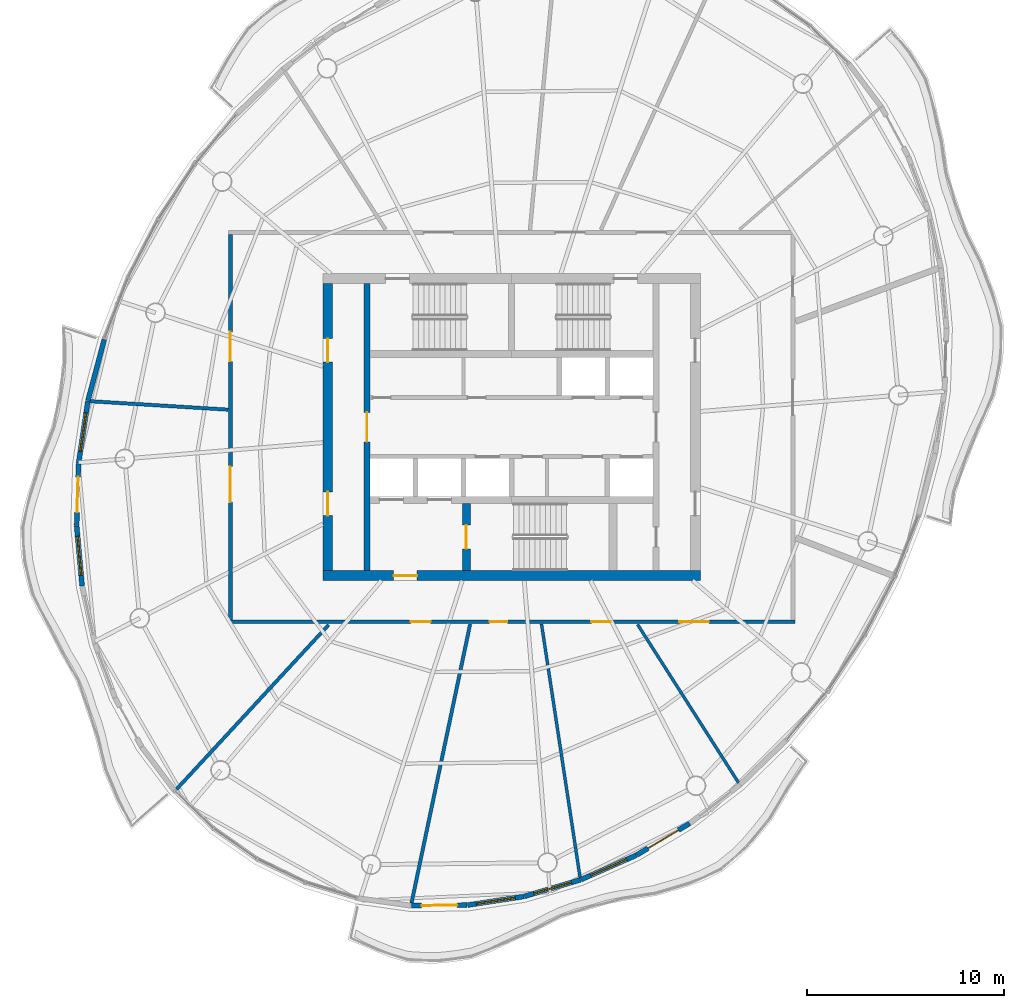
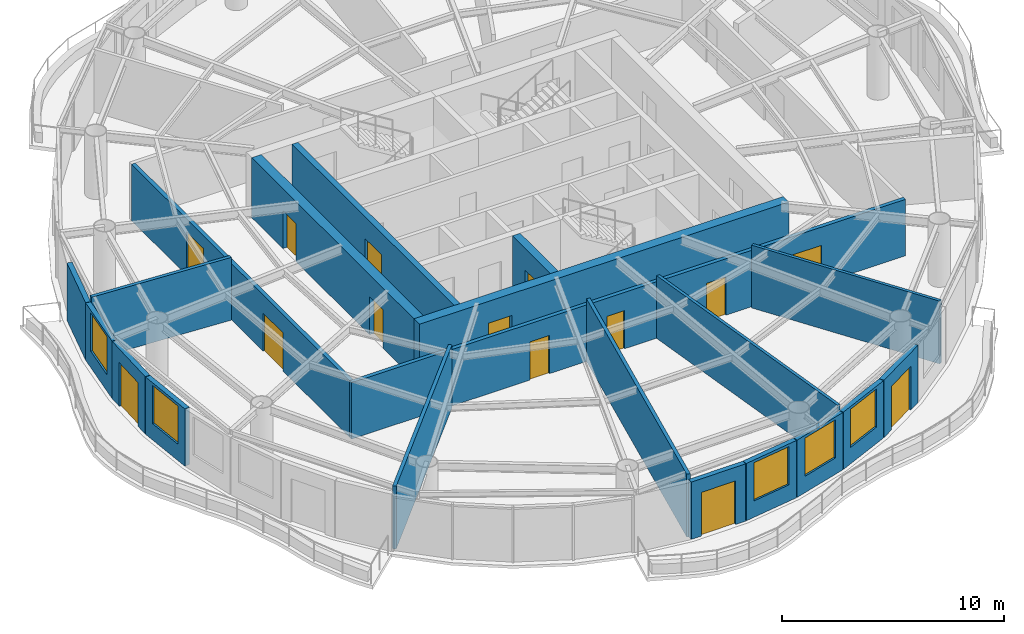
# One storey, part 7 of 13: 20 walls, 14 doors, 5 windows, 19 openings.
"""IFC4 building model written with IfcOpenShell, lengths in metres."""

from ifc_helpers import new_model, si_unit, direction, frame, frame_2d, origin, place, context, subcontext, project, spatial, rectangle, extrude, material, layer, layer_set, type_object, element, fill, save


model = new_model("IFC4")

# Units and contexts
model_context = context("Model", 3, precision=1e-05, world=origin(), true_north=direction((0.0, 1.0)))
body_context = subcontext(model_context, "Body", "Model", "MODEL_VIEW")
ifc_project = project(units=[si_unit("LENGTHUNIT", "METRE"), si_unit("AREAUNIT", "SQUARE_METRE"), si_unit("VOLUMEUNIT", "CUBIC_METRE"), si_unit("PLANEANGLEUNIT", "RADIAN"), si_unit("MASSUNIT", "GRAM", prefix="KILO")], contexts=[model_context])

# Site, building, storey
site_placement = place(None, origin())
site = spatial("IfcSite", under=ifc_project, at=site_placement, CompositionType="ELEMENT")
building_placement = place(site_placement, origin())
building = spatial("IfcBuilding", under=site, at=building_placement, Name="Vermilion Reach Broadcast Tower", CompositionType="ELEMENT")
storey_placement = place(building_placement, frame((0.0, 0.0, 272.10009765625)))
storey = spatial("IfcBuildingStorey", under=building, at=storey_placement, Name="L67", CompositionType="ELEMENT", Elevation=272.10009765625)

# Wall, opening, door
ifc_material_1 = material(Name="Concrete C50", Category="concrete")
ifc_layer_1 = layer(ifc_material_1, 0.300048828125)
ifc_layer_set_1 = layer_set([ifc_layer_1], Name="Core inner wall 300 mm Concrete C50")
wall_type_1 = type_object("IfcWallType", Name="Core inner wall 300 mm Concrete C50", PredefinedType="SHEAR", material=ifc_layer_set_1)
wall_1_placement = place(storey_placement, frame((-13.35009765625, 7.300048828125, 0.0), z_axis=(0.0, 0.0, 1.0), x_axis=(0.0, -1.0, 0.0)))
wall_1 = element("IfcWall", 1, at=wall_1_placement, inside=storey, type_object=wall_type_1, Name="L67 core wall ewW", PredefinedType="SHEAR", context=body_context, shape_type="SweptSolid", body=[
    extrude(rectangle(XDim=14.60009765625, YDim=0.300048828125, at=frame_2d((7.300048828125, 0.0))), origin(), (0.0, 0.0, 1.0), 3.2998046875),
])
opening_1_placement = place(wall_1_placement, frame((6.550048828125, 0.0, 0.0)))
opening_1 = element("IfcOpeningElement", 2, at=opening_1_placement, cuts=wall_1, Name="Opening D04", PredefinedType="OPENING", context=body_context, shape_type="SweptSolid", body=[
    extrude(rectangle(XDim=1.5, YDim=2.10009765625, at=frame_2d((0.75, 1.050048828125))), frame((0.0, 0.159912109375, 0.0), z_axis=(0.0, -1.0, 0.0), x_axis=(1.0, 0.0, 0.0)), (0.0, 0.0, 1.0), 0.320068359375),
])
ifc_material_2 = material(Name="Painted steel fire door", Category="steel")
door_type_1 = type_object("IfcDoorType", Name="Lift lobby door 1500 x 2100", OperationType="DOUBLE_DOOR_SINGLE_SWING", PredefinedType="NOTDEFINED", material=ifc_material_2)
door_1_placement = place(opening_1_placement, origin())
door_1 = element("IfcDoor", 3, at=door_1_placement, inside=storey, type_object=door_type_1, Name="L67 band door BW", OperationType="DOUBLE_DOOR_SINGLE_SWING", OverallHeight=2.10009765625, OverallWidth=1.5, PredefinedType="NOTDEFINED", context=body_context, shape_type="SweptSolid", body=[
    extrude(rectangle(XDim=1.5, YDim=2.10009765625, at=frame_2d((0.75, 1.050048828125))), frame((0.0, 0.02490234375, 0.0), z_axis=(0.0, -1.0, 0.0), x_axis=(1.0, 0.0, 0.0)), (0.0, 0.0, 1.0), 0.050048828125),
])
fill(opening_1, door_1)

ifc_material_3 = material(Name="Concrete C50", Category="concrete")
ifc_layer_2 = layer(ifc_material_3, 0.39990234375)
ifc_layer_set_2 = layer_set([ifc_layer_2], Name="Core inner wall 400 mm Concrete C50")
wall_type_2 = type_object("IfcWallType", Name="Core inner wall 400 mm Concrete C50", PredefinedType="SHEAR", material=ifc_layer_set_2)
wall_2_placement = place(storey_placement, frame((-8.300048828125, -3.8798828125, 0.0), z_axis=(0.0, 0.0, 1.0), x_axis=(0.0, -1.0, 0.0)))
wall_2 = element("IfcWall", 4, at=wall_2_placement, inside=storey, type_object=wall_type_2, Name="L67 core wall wa", PredefinedType="SHEAR", context=body_context, shape_type="SweptSolid", body=[
    extrude(rectangle(XDim=3.420166015625, YDim=0.39990234375, at=frame_2d((1.7099609375, 0.0))), origin(), (0.0, 0.0, 1.0), 3.2998046875),
])
opening_2_placement = place(wall_2_placement, frame((1.110107421875, 0.0, 0.0)))
opening_2 = element("IfcOpeningElement", 5, at=opening_2_placement, cuts=wall_2, Name="Opening D01", PredefinedType="OPENING", context=body_context, shape_type="SweptSolid", body=[
    extrude(rectangle(XDim=1.199951171875, YDim=2.10009765625, at=frame_2d((0.60009765625, 1.050048828125))), frame((0.0, 0.2099609375, 0.0), z_axis=(0.0, -1.0, 0.0), x_axis=(1.0, 0.0, 0.0)), (0.0, 0.0, 1.0), 0.419921875),
])
ifc_material_4 = material(Name="Painted steel fire door", Category="steel")
door_type_2 = type_object("IfcDoorType", Name="Stair door 1200 x 2100", OperationType="DOUBLE_DOOR_SINGLE_SWING", PredefinedType="NOTDEFINED", material=ifc_material_4)
door_2_placement = place(opening_2_placement, origin())
door_2 = element("IfcDoor", 6, at=door_2_placement, inside=storey, type_object=door_type_2, Name="L67 stair door ST3", OperationType="DOUBLE_DOOR_SINGLE_SWING", OverallHeight=2.10009765625, OverallWidth=1.199951171875, PredefinedType="NOTDEFINED", context=body_context, shape_type="SweptSolid", body=[
    extrude(rectangle(XDim=1.199951171875, YDim=2.10009765625, at=frame_2d((0.60009765625, 1.050048828125))), frame((0.0, 0.02490234375, 0.0), z_axis=(0.0, -1.0, 0.0), x_axis=(1.0, 0.0, 0.0)), (0.0, 0.0, 1.0), 0.050048828125),
])
fill(opening_2, door_2)

ifc_material_5 = material(Name="Concrete C50", Category="concrete")
ifc_layer_3 = layer(ifc_material_5, 0.5)
ifc_layer_set_3 = layer_set([ifc_layer_3], Name="Core outer wall 500 mm Concrete C50")
wall_type_3 = type_object("IfcWallType", Name="Core outer wall 500 mm Concrete C50", PredefinedType="SHEAR", material=ifc_layer_set_3)
wall_3_placement = place(storey_placement, frame((-15.60009765625, -7.550048828125, 0.0), z_axis=(0.0, 0.0, 1.0), x_axis=(1.0, 0.0, 0.0)))
wall_3 = element("IfcWall", 7, at=wall_3_placement, inside=storey, type_object=wall_type_3, Name="L67 core wall os", PredefinedType="SHEAR", context=body_context, shape_type="SweptSolid", body=[
    extrude(rectangle(XDim=19.2001953125, YDim=0.5, at=frame_2d((9.60009765625, 0.0))), origin(), (0.0, 0.0, 1.0), 3.2998046875),
])
opening_3_placement = place(wall_3_placement, frame((3.60009765625, 0.0, 0.0)))
opening_3 = element("IfcOpeningElement", 8, at=opening_3_placement, cuts=wall_3, Name="Opening D02", PredefinedType="OPENING", context=body_context, shape_type="SweptSolid", body=[
    extrude(rectangle(XDim=1.199951171875, YDim=2.10009765625, at=frame_2d((0.60009765625, 1.050048828125))), frame((0.0, 0.260009765625, 0.0), z_axis=(0.0, -1.0, 0.0), x_axis=(1.0, 0.0, 0.0)), (0.0, 0.0, 1.0), 0.52001953125),
])
ifc_material_6 = material(Name="Painted steel fire door", Category="steel")
door_type_3 = type_object("IfcDoorType", Name="Firefighting lobby door 1200 x 2100", OperationType="DOUBLE_DOOR_SINGLE_SWING", PredefinedType="NOTDEFINED", material=ifc_material_6)
door_3_placement = place(opening_3_placement, origin())
door_3 = element("IfcDoor", 9, at=door_3_placement, inside=storey, type_object=door_type_3, Name="L67 ffdoor door FFL", OperationType="DOUBLE_DOOR_SINGLE_SWING", OverallHeight=2.10009765625, OverallWidth=1.199951171875, PredefinedType="NOTDEFINED", context=body_context, shape_type="SweptSolid", body=[
    extrude(rectangle(XDim=1.199951171875, YDim=2.10009765625, at=frame_2d((0.60009765625, 1.050048828125))), frame((0.0, 0.02490234375, 0.0), z_axis=(0.0, -1.0, 0.0), x_axis=(1.0, 0.0, 0.0)), (0.0, 0.0, 1.0), 0.050048828125),
])
fill(opening_3, door_3)

# Wall, openings, doors
wall_4_placement = place(storey_placement, frame((-15.35009765625, 7.300048828125, 0.0), z_axis=(0.0, 0.0, 1.0), x_axis=(0.0, -1.0, 0.0)))
wall_4 = element("IfcWall", 10, at=wall_4_placement, inside=storey, type_object=wall_type_3, Name="L67 core wall ow", PredefinedType="SHEAR", context=body_context, shape_type="SweptSolid", body=[
    extrude(rectangle(XDim=14.60009765625, YDim=0.5, at=frame_2d((7.300048828125, 0.0))), origin(), (0.0, 0.0, 1.0), 3.2998046875),
])
opening_4_placement = place(wall_4_placement, frame((10.60009765625, 0.0, 0.0)))
opening_4 = element("IfcOpeningElement", 11, at=opening_4_placement, cuts=wall_4, Name="Opening D03", PredefinedType="OPENING", context=body_context, shape_type="SweptSolid", body=[
    extrude(rectangle(XDim=1.199951171875, YDim=2.10009765625, at=frame_2d((0.60009765625, 1.050048828125))), frame((0.0, 0.260009765625, 0.0), z_axis=(0.0, -1.0, 0.0), x_axis=(1.0, 0.0, 0.0)), (0.0, 0.0, 1.0), 0.52001953125),
])
opening_5_placement = place(wall_4_placement, frame((2.800048828125, 0.0, 0.0)))
opening_5 = element("IfcOpeningElement", 12, at=opening_5_placement, cuts=wall_4, Name="Opening D03", PredefinedType="OPENING", context=body_context, shape_type="SweptSolid", body=[
    extrude(rectangle(XDim=1.199951171875, YDim=2.10009765625, at=frame_2d((0.60009765625, 1.050048828125))), frame((0.0, 0.260009765625, 0.0), z_axis=(0.0, -1.0, 0.0), x_axis=(1.0, 0.0, 0.0)), (0.0, 0.0, 1.0), 0.52001953125),
])
ifc_material_7 = material(Name="Painted steel fire door", Category="steel")
door_type_4 = type_object("IfcDoorType", Name="Core lobby door 1200 x 2100", OperationType="DOUBLE_DOOR_SINGLE_SWING", PredefinedType="NOTDEFINED", material=ifc_material_7)
door_4_placement = place(opening_4_placement, origin())
door_4 = element("IfcDoor", 13, at=door_4_placement, inside=storey, type_object=door_type_4, Name="L67 slot door W0", OperationType="DOUBLE_DOOR_SINGLE_SWING", OverallHeight=2.10009765625, OverallWidth=1.199951171875, PredefinedType="NOTDEFINED", context=body_context, shape_type="SweptSolid", body=[
    extrude(rectangle(XDim=1.199951171875, YDim=2.10009765625, at=frame_2d((0.60009765625, 1.050048828125))), frame((0.0, 0.02490234375, 0.0), z_axis=(0.0, -1.0, 0.0), x_axis=(1.0, 0.0, 0.0)), (0.0, 0.0, 1.0), 0.050048828125),
])
fill(opening_4, door_4)
door_5_placement = place(opening_5_placement, origin())
door_5 = element("IfcDoor", 14, at=door_5_placement, inside=storey, type_object=door_type_4, Name="L67 slot door W1", OperationType="DOUBLE_DOOR_SINGLE_SWING", OverallHeight=2.10009765625, OverallWidth=1.199951171875, PredefinedType="NOTDEFINED", context=body_context, shape_type="SweptSolid", body=[
    extrude(rectangle(XDim=1.199951171875, YDim=2.10009765625, at=frame_2d((0.60009765625, 1.050048828125))), frame((0.0, 0.02490234375, 0.0), z_axis=(0.0, -1.0, 0.0), x_axis=(1.0, 0.0, 0.0)), (0.0, 0.0, 1.0), 0.050048828125),
])
fill(opening_5, door_5)

# Walls
ifc_material_8 = material(Name="Lightweight concrete block, plastered", Category="concrete")
ifc_layer_4 = layer(ifc_material_8, 0.14990234375)
ifc_layer_set_4 = layer_set([ifc_layer_4], Name="Partition 150 lightweight block")
wall_type_4 = type_object("IfcWallType", Name="Partition 150 lightweight block", PredefinedType="PARTITIONING", material=ifc_layer_set_4)
wall_5_placement = place(storey_placement, frame((-2.518310546875, -22.897705078125, 0.0), z_axis=(0.0, 0.0, 1.0), x_axis=(-0.150328576639, 0.988636090301, 0.0)))
element("IfcWall", 15, at=wall_5_placement, inside=storey, type_object=wall_type_4, Name="Partition 67.07", PredefinedType="PARTITIONING", context=body_context, shape_type="SweptSolid", body=[
    extrude(rectangle(XDim=13.03466796875, YDim=0.14990234375, at=frame_2d((6.517333984375, 0.0))), origin(), (0.0, 0.0, 1.0), 3.449951171875),
])
wall_6_placement = place(storey_placement, frame((5.543212890625, -18.087646484375, 0.0), z_axis=(0.0, 0.0, 1.0), x_axis=(-0.537970500941, 0.842963664767, 0.0)))
element("IfcWall", 16, at=wall_6_placement, inside=storey, type_object=wall_type_4, Name="Partition 67.08", PredefinedType="PARTITIONING", context=body_context, shape_type="SweptSolid", body=[
    extrude(rectangle(XDim=9.546630859375, YDim=0.14990234375, at=frame_2d((4.7734375, 0.0))), origin(), (0.0, 0.0, 1.0), 3.449951171875),
])
ifc_material_9 = material(Name="Fire-rated block, plastered")
ifc_layer_5 = layer(ifc_material_9, 0.175048828125)
ifc_layer_set_5 = layer_set([ifc_layer_5], Name="Partition 175 fire-rated block")
wall_type_5 = type_object("IfcWallType", Name="Partition 175 fire-rated block", PredefinedType="PARTITIONING", material=ifc_layer_set_5)
wall_7_placement = place(storey_placement, frame((-27.4169921875, 1.311767578125, 0.0), z_axis=(0.0, 0.0, 1.0), x_axis=(0.998129692202, -0.061131968265, 0.0)))
element("IfcWall", 17, at=wall_7_placement, inside=storey, type_object=wall_type_5, Name="Partition 67.04", PredefinedType="PARTITIONING", context=body_context, shape_type="SweptSolid", body=[
    extrude(rectangle(XDim=7.02490234375, YDim=0.175048828125, at=frame_2d((3.512451171875, 0.0))), origin(), (0.0, 0.0, 1.0), 3.449951171875),
])
wall_8_placement = place(storey_placement, frame((-23.03125, -18.413330078125, 0.0), z_axis=(0.0, 0.0, 1.0), x_axis=(0.679011342159, 0.734127779899, 0.0)))
element("IfcWall", 18, at=wall_8_placement, inside=storey, type_object=wall_type_5, Name="Partition 67.05", PredefinedType="PARTITIONING", context=body_context, shape_type="SweptSolid", body=[
    extrude(rectangle(XDim=11.37939453125, YDim=0.175048828125, at=frame_2d((5.689697265625, 0.0))), origin(), (0.0, 0.0, 1.0), 3.449951171875),
])
wall_9_placement = place(storey_placement, frame((-11.089111328125, -24.212646484375, 0.0), z_axis=(0.0, 0.0, 1.0), x_axis=(0.205700846856, 0.978614919978, 0.0)))
element("IfcWall", 19, at=wall_9_placement, inside=storey, type_object=wall_type_5, Name="Partition 67.06", PredefinedType="PARTITIONING", context=body_context, shape_type="SweptSolid", body=[
    extrude(rectangle(XDim=14.5048828125, YDim=0.175048828125, at=frame_2d((7.25244140625, 0.0))), origin(), (0.0, 0.0, 1.0), 3.449951171875),
])
ifc_material_10 = material(Name="Terracotta rainscreen cladding", Category="masonry")
ifc_layer_6 = layer(ifc_material_10, 0.25)
ifc_layer_set_6 = layer_set([ifc_layer_6], Name="Terracotta rainscreen wall 250")
wall_type_6 = type_object("IfcWallType", Name="Terracotta rainscreen wall 250", PredefinedType="SOLIDWALL", material=ifc_layer_set_6)
wall_10_placement = place(storey_placement, frame((-26.70751953125, 4.45556640625, 0.0), z_axis=(0.0, 0.0, 1.0), x_axis=(-0.257776035016, -0.96620469662, 0.0)))
element("IfcWall", 20, at=wall_10_placement, inside=storey, type_object=wall_type_6, Name="External wall L67 14", PredefinedType="SOLIDWALL", context=body_context, shape_type="SweptSolid", body=[
    extrude(rectangle(XDim=3.21630859375, YDim=0.25, at=frame_2d((1.608154296875, 0.0))), origin(), (0.0, 0.0, 1.0), 3.14990234375),
])

# Wall, opening, window
wall_11_placement = place(storey_placement, frame((-27.541015625, 1.326171875, 0.0), z_axis=(0.0, 0.0, 1.0), x_axis=(-0.147409564434, -0.989075538224, 0.0)))
wall_11 = element("IfcWall", 21, at=wall_11_placement, inside=storey, type_object=wall_type_6, Name="External wall L67 15", PredefinedType="SOLIDWALL", context=body_context, shape_type="SweptSolid", body=[
    extrude(rectangle(XDim=3.206298828125, YDim=0.25, at=frame_2d((1.60302734375, 0.0))), origin(), (0.0, 0.0, 1.0), 3.14990234375),
])
opening_6_placement = place(wall_11_placement, frame((0.603271484375, 0.0, 0.89990234375)))
opening_6 = element("IfcOpeningElement", 22, at=opening_6_placement, cuts=wall_11, Name="Opening W03", PredefinedType="OPENING", context=body_context, shape_type="SweptSolid", body=[
    extrude(rectangle(XDim=2.0, YDim=2.10009765625, at=frame_2d((1.0, 1.050048828125))), frame((0.0, 0.135009765625, 0.0), z_axis=(0.0, -1.0, 0.0), x_axis=(1.0, 0.0, 0.0)), (0.0, 0.0, 1.0), 0.27001953125),
])
ifc_material_11 = material(Name="Low-e laminated clear glass in aluminium frame", Category="aluminium")
window_type = type_object("IfcWindowType", Name="Punched window 2000 x 2100 sill 900", PartitioningType="SINGLE_PANEL", PredefinedType="WINDOW", material=ifc_material_11)
window_1_placement = place(opening_6_placement, origin())
window_1 = element("IfcWindow", 23, at=window_1_placement, inside=storey, type_object=window_type, Name="Window L67 15", OverallHeight=2.10009765625, OverallWidth=2.0, PartitioningType="SINGLE_PANEL", PredefinedType="WINDOW", context=body_context, shape_type="SweptSolid", body=[
    extrude(rectangle(XDim=2.0, YDim=2.10009765625, at=frame_2d((1.0, 1.050048828125))), frame((0.0, 0.030029296875, 0.0), z_axis=(0.0, -1.0, 0.0), x_axis=(1.0, 0.0, 0.0)), (0.0, 0.0, 1.0), 0.06005859375),
])
fill(opening_6, window_1)

# Wall, opening, door
wall_12_placement = place(storey_placement, frame((-28.015625, -1.86767578125, 0.0), z_axis=(0.0, 0.0, 1.0), x_axis=(-0.031030800892, -0.999518428743, 0.0)))
wall_12 = element("IfcWall", 24, at=wall_12_placement, inside=storey, type_object=wall_type_6, Name="External wall L67 16", PredefinedType="SOLIDWALL", context=body_context, shape_type="SweptSolid", body=[
    extrude(rectangle(XDim=3.13916015625, YDim=0.25, at=frame_2d((1.569580078125, 0.0))), origin(), (0.0, 0.0, 1.0), 3.14990234375),
])
opening_7_placement = place(wall_12_placement, frame((0.669921875, 0.0, 0.0)))
opening_7 = element("IfcOpeningElement", 25, at=opening_7_placement, cuts=wall_12, Name="Opening D70", PredefinedType="OPENING", context=body_context, shape_type="SweptSolid", body=[
    extrude(rectangle(XDim=1.800048828125, YDim=2.39990234375, at=frame_2d((0.89990234375, 1.199951171875))), frame((0.0, 0.135009765625, 0.0), z_axis=(0.0, -1.0, 0.0), x_axis=(1.0, 0.0, 0.0)), (0.0, 0.0, 1.0), 0.27001953125),
])
ifc_material_12 = material(Name="Low-e laminated clear glass in aluminium frame", Category="aluminium")
door_type_5 = type_object("IfcDoorType", Name="Balcony sliding door 1800 x 2400", OperationType="DOUBLE_DOOR_SLIDING", PredefinedType="DOOR", material=ifc_material_12)
door_6_placement = place(opening_7_placement, origin())
door_6 = element("IfcDoor", 26, at=door_6_placement, inside=storey, type_object=door_type_5, Name="Balcony door L67 run 04", OperationType="DOUBLE_DOOR_SLIDING", OverallHeight=2.39990234375, OverallWidth=1.800048828125, PredefinedType="DOOR", context=body_context, shape_type="SweptSolid", body=[
    extrude(rectangle(XDim=1.800048828125, YDim=2.39990234375, at=frame_2d((0.89990234375, 1.199951171875))), frame((0.0, 0.02490234375, 0.0), z_axis=(0.0, -1.0, 0.0), x_axis=(1.0, 0.0, 0.0)), (0.0, 0.0, 1.0), 0.050048828125),
])
fill(opening_7, door_6)

# Wall, opening, window
wall_13_placement = place(storey_placement, frame((-28.1123046875, -5.02880859375, 0.0), z_axis=(0.0, 0.0, 1.0), x_axis=(0.090974263514, -0.995853243896, 0.0)))
wall_13 = element("IfcWall", 27, at=wall_13_placement, inside=storey, type_object=wall_type_6, Name="External wall L67 17", PredefinedType="SOLIDWALL", context=body_context, shape_type="SweptSolid", body=[
    extrude(rectangle(XDim=3.06201171875, YDim=0.25, at=frame_2d((1.531005859375, 0.0))), origin(), (0.0, 0.0, 1.0), 3.14990234375),
])
opening_8_placement = place(wall_13_placement, frame((0.531005859375, 0.0, 0.89990234375)))
opening_8 = element("IfcOpeningElement", 28, at=opening_8_placement, cuts=wall_13, Name="Opening W03", PredefinedType="OPENING", context=body_context, shape_type="SweptSolid", body=[
    extrude(rectangle(XDim=2.0, YDim=2.10009765625, at=frame_2d((1.0, 1.050048828125))), frame((0.0, 0.135009765625, 0.0), z_axis=(0.0, -1.0, 0.0), x_axis=(1.0, 0.0, 0.0)), (0.0, 0.0, 1.0), 0.27001953125),
])
window_2_placement = place(opening_8_placement, origin())
window_2 = element("IfcWindow", 29, at=window_2_placement, inside=storey, type_object=window_type, Name="Window L67 17", OverallHeight=2.10009765625, OverallWidth=2.0, PartitioningType="SINGLE_PANEL", PredefinedType="WINDOW", context=body_context, shape_type="SweptSolid", body=[
    extrude(rectangle(XDim=2.0, YDim=2.10009765625, at=frame_2d((1.0, 1.050048828125))), frame((0.0, 0.030029296875, 0.0), z_axis=(0.0, -1.0, 0.0), x_axis=(1.0, 0.0, 0.0)), (0.0, 0.0, 1.0), 0.06005859375),
])
fill(opening_8, window_2)

# Wall, opening, door
wall_14_placement = place(storey_placement, frame((-11.083740234375, -24.33740234375, 0.0), z_axis=(0.0, 0.0, 1.0), x_axis=(0.999952276814, 0.009769549307, 0.0)))
wall_14 = element("IfcWall", 30, at=wall_14_placement, inside=storey, type_object=wall_type_6, Name="External wall L67 27", PredefinedType="SOLIDWALL", context=body_context, shape_type="SweptSolid", body=[
    extrude(rectangle(XDim=2.823974609375, YDim=0.25, at=frame_2d((1.412109375, 0.0))), origin(), (0.0, 0.0, 1.0), 3.14990234375),
])
opening_9_placement = place(wall_14_placement, frame((0.511962890625, 0.0, 0.0)))
opening_9 = element("IfcOpeningElement", 31, at=opening_9_placement, cuts=wall_14, Name="Opening D70", PredefinedType="OPENING", context=body_context, shape_type="SweptSolid", body=[
    extrude(rectangle(XDim=1.800048828125, YDim=2.39990234375, at=frame_2d((0.89990234375, 1.199951171875))), frame((0.0, 0.135009765625, 0.0), z_axis=(0.0, -1.0, 0.0), x_axis=(1.0, 0.0, 0.0)), (0.0, 0.0, 1.0), 0.27001953125),
])
door_7_placement = place(opening_9_placement, origin())
door_7 = element("IfcDoor", 32, at=door_7_placement, inside=storey, type_object=door_type_5, Name="Balcony door L67 run 07", OperationType="DOUBLE_DOOR_SLIDING", OverallHeight=2.39990234375, OverallWidth=1.800048828125, PredefinedType="DOOR", context=body_context, shape_type="SweptSolid", body=[
    extrude(rectangle(XDim=1.800048828125, YDim=2.39990234375, at=frame_2d((0.89990234375, 1.199951171875))), frame((0.0, 0.02490234375, 0.0), z_axis=(0.0, -1.0, 0.0), x_axis=(1.0, 0.0, 0.0)), (0.0, 0.0, 1.0), 0.050048828125),
])
fill(opening_9, door_7)

# Wall, opening, window
wall_15_placement = place(storey_placement, frame((-8.234375, -24.3076171875, 0.0), z_axis=(0.0, 0.0, 1.0), x_axis=(0.988456248217, 0.151506585204, 0.0)))
wall_15 = element("IfcWall", 33, at=wall_15_placement, inside=storey, type_object=wall_type_6, Name="External wall L67 28", PredefinedType="SOLIDWALL", context=body_context, shape_type="SweptSolid", body=[
    extrude(rectangle(XDim=2.89892578125, YDim=0.25, at=frame_2d((1.449462890625, 0.0))), origin(), (0.0, 0.0, 1.0), 3.14990234375),
])
opening_10_placement = place(wall_15_placement, frame((0.449462890625, 0.0, 0.89990234375)))
opening_10 = element("IfcOpeningElement", 34, at=opening_10_placement, cuts=wall_15, Name="Opening W03", PredefinedType="OPENING", context=body_context, shape_type="SweptSolid", body=[
    extrude(rectangle(XDim=2.0, YDim=2.10009765625, at=frame_2d((1.0, 1.050048828125))), frame((0.0, 0.135009765625, 0.0), z_axis=(0.0, -1.0, 0.0), x_axis=(1.0, 0.0, 0.0)), (0.0, 0.0, 1.0), 0.27001953125),
])
window_3_placement = place(opening_10_placement, origin())
window_3 = element("IfcWindow", 35, at=window_3_placement, inside=storey, type_object=window_type, Name="Window L67 28", OverallHeight=2.10009765625, OverallWidth=2.0, PartitioningType="SINGLE_PANEL", PredefinedType="WINDOW", context=body_context, shape_type="SweptSolid", body=[
    extrude(rectangle(XDim=2.0, YDim=2.10009765625, at=frame_2d((1.0, 1.050048828125))), frame((0.0, 0.030029296875, 0.0), z_axis=(0.0, -1.0, 0.0), x_axis=(1.0, 0.0, 0.0)), (0.0, 0.0, 1.0), 0.06005859375),
])
fill(opening_10, window_3)

wall_16_placement = place(storey_placement, frame((-5.3447265625, -23.863037109375, 0.0), z_axis=(0.0, 0.0, 1.0), x_axis=(0.958992915497, 0.283430040798, 0.0)))
wall_16 = element("IfcWall", 36, at=wall_16_placement, inside=storey, type_object=wall_type_6, Name="External wall L67 29", PredefinedType="SOLIDWALL", context=body_context, shape_type="SweptSolid", body=[
    extrude(rectangle(XDim=2.98046875, YDim=0.25, at=frame_2d((1.490234375, 0.0))), origin(), (0.0, 0.0, 1.0), 3.14990234375),
])
opening_11_placement = place(wall_16_placement, frame((0.490234375, 0.0, 0.89990234375)))
opening_11 = element("IfcOpeningElement", 37, at=opening_11_placement, cuts=wall_16, Name="Opening W03", PredefinedType="OPENING", context=body_context, shape_type="SweptSolid", body=[
    extrude(rectangle(XDim=2.0, YDim=2.10009765625, at=frame_2d((1.0, 1.050048828125))), frame((0.0, 0.135009765625, 0.0), z_axis=(0.0, -1.0, 0.0), x_axis=(1.0, 0.0, 0.0)), (0.0, 0.0, 1.0), 0.27001953125),
])
window_4_placement = place(opening_11_placement, origin())
window_4 = element("IfcWindow", 38, at=window_4_placement, inside=storey, type_object=window_type, Name="Window L67 29", OverallHeight=2.10009765625, OverallWidth=2.0, PartitioningType="SINGLE_PANEL", PredefinedType="WINDOW", context=body_context, shape_type="SweptSolid", body=[
    extrude(rectangle(XDim=2.0, YDim=2.10009765625, at=frame_2d((1.0, 1.050048828125))), frame((0.0, 0.030029296875, 0.0), z_axis=(0.0, -1.0, 0.0), x_axis=(1.0, 0.0, 0.0)), (0.0, 0.0, 1.0), 0.06005859375),
])
fill(opening_11, window_4)

wall_17_placement = place(storey_placement, frame((-2.464111328125, -23.010009765625, 0.0), z_axis=(0.0, 0.0, 1.0), x_axis=(0.914844180747, 0.403807039258, 0.0)))
wall_17 = element("IfcWall", 39, at=wall_17_placement, inside=storey, type_object=wall_type_6, Name="External wall L67 30", PredefinedType="SOLIDWALL", context=body_context, shape_type="SweptSolid", body=[
    extrude(rectangle(XDim=3.062255859375, YDim=0.25, at=frame_2d((1.53125, 0.0))), origin(), (0.0, 0.0, 1.0), 3.14990234375),
])
opening_12_placement = place(wall_17_placement, frame((0.531005859375, 0.0, 0.89990234375)))
opening_12 = element("IfcOpeningElement", 40, at=opening_12_placement, cuts=wall_17, Name="Opening W03", PredefinedType="OPENING", context=body_context, shape_type="SweptSolid", body=[
    extrude(rectangle(XDim=2.0, YDim=2.10009765625, at=frame_2d((1.0, 1.050048828125))), frame((0.0, 0.135009765625, 0.0), z_axis=(0.0, -1.0, 0.0), x_axis=(1.0, 0.0, 0.0)), (0.0, 0.0, 1.0), 0.27001953125),
])
window_5_placement = place(opening_12_placement, origin())
window_5 = element("IfcWindow", 41, at=window_5_placement, inside=storey, type_object=window_type, Name="Window L67 30", OverallHeight=2.10009765625, OverallWidth=2.0, PartitioningType="SINGLE_PANEL", PredefinedType="WINDOW", context=body_context, shape_type="SweptSolid", body=[
    extrude(rectangle(XDim=2.0, YDim=2.10009765625, at=frame_2d((1.0, 1.050048828125))), frame((0.0, 0.030029296875, 0.0), z_axis=(0.0, -1.0, 0.0), x_axis=(1.0, 0.0, 0.0)), (0.0, 0.0, 1.0), 0.06005859375),
])
fill(opening_12, window_5)

# Wall, opening, door
wall_18_placement = place(storey_placement, frame((0.35791015625, -21.762939453125, 0.0), z_axis=(0.0, 0.0, 1.0), x_axis=(0.858787089802, 0.512332640371, 0.0)))
wall_18 = element("IfcWall", 42, at=wall_18_placement, inside=storey, type_object=wall_type_6, Name="External wall L67 31", PredefinedType="SOLIDWALL", context=body_context, shape_type="SweptSolid", body=[
    extrude(rectangle(XDim=3.139404296875, YDim=0.25, at=frame_2d((1.56982421875, 0.0))), origin(), (0.0, 0.0, 1.0), 3.14990234375),
])
opening_13_placement = place(wall_18_placement, frame((0.669921875, 0.0, 0.0)))
opening_13 = element("IfcOpeningElement", 43, at=opening_13_placement, cuts=wall_18, Name="Opening D70", PredefinedType="OPENING", context=body_context, shape_type="SweptSolid", body=[
    extrude(rectangle(XDim=1.800048828125, YDim=2.39990234375, at=frame_2d((0.89990234375, 1.199951171875))), frame((0.0, 0.135009765625, 0.0), z_axis=(0.0, -1.0, 0.0), x_axis=(1.0, 0.0, 0.0)), (0.0, 0.0, 1.0), 0.27001953125),
])
door_8_placement = place(opening_13_placement, origin())
door_8 = element("IfcDoor", 44, at=door_8_placement, inside=storey, type_object=door_type_5, Name="Balcony door L67 run 08", OperationType="DOUBLE_DOOR_SLIDING", OverallHeight=2.39990234375, OverallWidth=1.800048828125, PredefinedType="DOOR", context=body_context, shape_type="SweptSolid", body=[
    extrude(rectangle(XDim=1.800048828125, YDim=2.39990234375, at=frame_2d((0.89990234375, 1.199951171875))), frame((0.0, 0.02490234375, 0.0), z_axis=(0.0, -1.0, 0.0), x_axis=(1.0, 0.0, 0.0)), (0.0, 0.0, 1.0), 0.050048828125),
])
fill(opening_13, door_8)

# Wall, openings, doors
ifc_material_13 = material(Name="Fire-rated gypsum board partition")
ifc_layer_7 = layer(ifc_material_13, 0.199951171875)
ifc_layer_set_7 = layer_set([ifc_layer_7], Name="Under girder: Corridor wall 200 fire-rated")
wall_type_7 = type_object("IfcWallType", Name="Under girder: Corridor wall 200 fire-rated", PredefinedType="PARTITIONING", material=ifc_layer_set_7)
wall_19_placement = place(storey_placement, frame((8.39990234375, -9.89990234375, 0.0), z_axis=(0.0, 0.0, 1.0), x_axis=(-1.0, 0.0, 0.0)))
wall_19 = element("IfcWall", 45, at=wall_19_placement, inside=storey, type_object=wall_type_7, Name="Corridor wall 67.S", PredefinedType="PARTITIONING", context=body_context, shape_type="SweptSolid", body=[
    extrude(rectangle(XDim=28.7998046875, YDim=0.199951171875, at=frame_2d((14.39990234375, 0.0))), origin(), (0.0, 0.0, 1.0), 3.099853515625),
])
opening_14_placement = place(wall_19_placement, frame((18.52099609375, 0.0, 0.0)))
opening_14 = element("IfcOpeningElement", 46, at=opening_14_placement, cuts=wall_19, Name="Opening D20", PredefinedType="OPENING", context=body_context, shape_type="SweptSolid", body=[
    extrude(rectangle(XDim=1.0, YDim=2.10009765625, at=frame_2d((0.5, 1.050048828125))), frame((0.0, 0.10986328125, 0.0), z_axis=(0.0, -1.0, 0.0), x_axis=(1.0, 0.0, 0.0)), (0.0, 0.0, 1.0), 0.219970703125),
])
opening_15_placement = place(wall_19_placement, frame((14.610107421875, 0.0, 0.0)))
opening_15 = element("IfcOpeningElement", 47, at=opening_15_placement, cuts=wall_19, Name="Opening D22", PredefinedType="OPENING", context=body_context, shape_type="SweptSolid", body=[
    extrude(rectangle(XDim=0.89990234375, YDim=2.10009765625, at=frame_2d((0.449951171875, 1.050048828125))), frame((0.0, 0.10986328125, 0.0), z_axis=(0.0, -1.0, 0.0), x_axis=(1.0, 0.0, 0.0)), (0.0, 0.0, 1.0), 0.219970703125),
])
opening_16_placement = place(wall_19_placement, frame((9.3466796875, 0.0, 0.0)))
opening_16 = element("IfcOpeningElement", 48, at=opening_16_placement, cuts=wall_19, Name="Opening D20", PredefinedType="OPENING", context=body_context, shape_type="SweptSolid", body=[
    extrude(rectangle(XDim=1.0, YDim=2.10009765625, at=frame_2d((0.5, 1.050048828125))), frame((0.0, 0.10986328125, 0.0), z_axis=(0.0, -1.0, 0.0), x_axis=(1.0, 0.0, 0.0)), (0.0, 0.0, 1.0), 0.219970703125),
])
opening_17_placement = place(wall_19_placement, frame((4.36279296875, 0.0, 0.0)))
opening_17 = element("IfcOpeningElement", 49, at=opening_17_placement, cuts=wall_19, Name="Opening D24", PredefinedType="OPENING", context=body_context, shape_type="SweptSolid", body=[
    extrude(rectangle(XDim=1.5, YDim=2.10009765625, at=frame_2d((0.75, 1.050048828125))), frame((0.0, 0.10986328125, 0.0), z_axis=(0.0, -1.0, 0.0), x_axis=(1.0, 0.0, 0.0)), (0.0, 0.0, 1.0), 0.219970703125),
])
ifc_material_14 = material(Name="Timber door leaf", Category="wood")
door_type_6 = type_object("IfcDoorType", Name="Door pair 1500x2100", OperationType="NOTDEFINED", PredefinedType="DOOR", material=ifc_material_14)
door_9_placement = place(opening_17_placement, origin())
door_9 = element("IfcDoor", 50, at=door_9_placement, inside=storey, type_object=door_type_6, Name="Door 67.08", OperationType="DOUBLE_DOOR_SINGLE_SWING", OverallHeight=2.10009765625, OverallWidth=1.5, PredefinedType="DOOR", context=body_context, shape_type="SweptSolid", body=[
    extrude(rectangle(XDim=1.5, YDim=2.10009765625, at=frame_2d((0.75, 1.050048828125))), frame((0.0, 0.02490234375, 0.0), z_axis=(0.0, -1.0, 0.0), x_axis=(1.0, 0.0, 0.0)), (0.0, 0.0, 1.0), 0.050048828125),
])
fill(opening_17, door_9)
ifc_material_15 = material(Name="Timber door leaf", Category="wood")
door_type_7 = type_object("IfcDoorType", Name="Door single 1000x2100", OperationType="NOTDEFINED", PredefinedType="DOOR", material=ifc_material_15)
door_10_placement = place(opening_14_placement, origin())
door_10 = element("IfcDoor", 51, at=door_10_placement, inside=storey, type_object=door_type_7, Name="Door 67.05", OperationType="SINGLE_SWING_LEFT", OverallHeight=2.10009765625, OverallWidth=1.0, PredefinedType="DOOR", context=body_context, shape_type="SweptSolid", body=[
    extrude(rectangle(XDim=1.0, YDim=2.10009765625, at=frame_2d((0.5, 1.050048828125))), frame((0.0, 0.02490234375, 0.0), z_axis=(0.0, -1.0, 0.0), x_axis=(1.0, 0.0, 0.0)), (0.0, 0.0, 1.0), 0.050048828125),
])
fill(opening_14, door_10)
door_11_placement = place(opening_16_placement, origin())
door_11 = element("IfcDoor", 52, at=door_11_placement, inside=storey, type_object=door_type_7, Name="Door 67.07", OperationType="SINGLE_SWING_LEFT", OverallHeight=2.10009765625, OverallWidth=1.0, PredefinedType="DOOR", context=body_context, shape_type="SweptSolid", body=[
    extrude(rectangle(XDim=1.0, YDim=2.10009765625, at=frame_2d((0.5, 1.050048828125))), frame((0.0, 0.02490234375, 0.0), z_axis=(0.0, -1.0, 0.0), x_axis=(1.0, 0.0, 0.0)), (0.0, 0.0, 1.0), 0.050048828125),
])
fill(opening_16, door_11)
ifc_material_16 = material(Name="Timber door leaf", Category="wood")
door_type_8 = type_object("IfcDoorType", Name="Door single 900x2100", OperationType="NOTDEFINED", PredefinedType="DOOR", material=ifc_material_16)
door_12_placement = place(opening_15_placement, origin())
door_12 = element("IfcDoor", 53, at=door_12_placement, inside=storey, type_object=door_type_8, Name="Door 67.06", OperationType="SINGLE_SWING_RIGHT", OverallHeight=2.10009765625, OverallWidth=0.89990234375, PredefinedType="DOOR", context=body_context, shape_type="SweptSolid", body=[
    extrude(rectangle(XDim=0.89990234375, YDim=2.10009765625, at=frame_2d((0.449951171875, 1.050048828125))), frame((0.0, 0.02490234375, 0.0), z_axis=(0.0, -1.0, 0.0), x_axis=(1.0, 0.0, 0.0)), (0.0, 0.0, 1.0), 0.050048828125),
])
fill(opening_15, door_12)

wall_20_placement = place(storey_placement, frame((-20.300048828125, -9.800048828125, 0.0), z_axis=(0.0, 0.0, 1.0), x_axis=(0.0, 1.0, 0.0)))
wall_20 = element("IfcWall", 54, at=wall_20_placement, inside=storey, type_object=wall_type_7, Name="Corridor wall 67.W", PredefinedType="PARTITIONING", context=body_context, shape_type="SweptSolid", body=[
    extrude(rectangle(XDim=19.60009765625, YDim=0.199951171875, at=frame_2d((9.800048828125, 0.0))), origin(), (0.0, 0.0, 1.0), 3.099853515625),
])
opening_18_placement = place(wall_20_placement, frame((13.142333984375, 0.0, 0.0)))
opening_18 = element("IfcOpeningElement", 55, at=opening_18_placement, cuts=wall_20, Name="Opening D25", PredefinedType="OPENING", context=body_context, shape_type="SweptSolid", body=[
    extrude(rectangle(XDim=1.5, YDim=2.39990234375, at=frame_2d((0.75, 1.199951171875))), frame((0.0, 0.10986328125, 0.0), z_axis=(0.0, -1.0, 0.0), x_axis=(1.0, 0.0, 0.0)), (0.0, 0.0, 1.0), 0.219970703125),
])
opening_19_placement = place(wall_20_placement, frame((5.982421875, 0.0, 0.0)))
opening_19 = element("IfcOpeningElement", 56, at=opening_19_placement, cuts=wall_20, Name="Opening D21", PredefinedType="OPENING", context=body_context, shape_type="SweptSolid", body=[
    extrude(rectangle(XDim=1.800048828125, YDim=2.10009765625, at=frame_2d((0.89990234375, 1.050048828125))), frame((0.0, 0.10986328125, 0.0), z_axis=(0.0, -1.0, 0.0), x_axis=(1.0, 0.0, 0.0)), (0.0, 0.0, 1.0), 0.219970703125),
])
ifc_material_17 = material(Name="Glazed timber door leaf", Category="wood")
door_type_9 = type_object("IfcDoorType", Name="Door pair 1500x2400", OperationType="NOTDEFINED", PredefinedType="DOOR", material=ifc_material_17)
door_13_placement = place(opening_18_placement, origin())
door_13 = element("IfcDoor", 57, at=door_13_placement, inside=storey, type_object=door_type_9, Name="Door 67.03", OperationType="DOUBLE_DOOR_SINGLE_SWING", OverallHeight=2.39990234375, OverallWidth=1.5, PredefinedType="DOOR", context=body_context, shape_type="SweptSolid", body=[
    extrude(rectangle(XDim=1.5, YDim=2.39990234375, at=frame_2d((0.75, 1.199951171875))), frame((0.0, 0.02490234375, 0.0), z_axis=(0.0, -1.0, 0.0), x_axis=(1.0, 0.0, 0.0)), (0.0, 0.0, 1.0), 0.050048828125),
])
fill(opening_18, door_13)
ifc_material_18 = material(Name="Timber door leaf", Category="wood")
door_type_10 = type_object("IfcDoorType", Name="Door pair 1800x2100", OperationType="NOTDEFINED", PredefinedType="DOOR", material=ifc_material_18)
door_14_placement = place(opening_19_placement, origin())
door_14 = element("IfcDoor", 58, at=door_14_placement, inside=storey, type_object=door_type_10, Name="Door 67.04", OperationType="DOUBLE_DOOR_SINGLE_SWING", OverallHeight=2.10009765625, OverallWidth=1.800048828125, PredefinedType="DOOR", context=body_context, shape_type="SweptSolid", body=[
    extrude(rectangle(XDim=1.800048828125, YDim=2.10009765625, at=frame_2d((0.89990234375, 1.050048828125))), frame((0.0, 0.02490234375, 0.0), z_axis=(0.0, -1.0, 0.0), x_axis=(1.0, 0.0, 0.0)), (0.0, 0.0, 1.0), 0.050048828125),
])
fill(opening_19, door_14)

save(model, "model.ifc")
